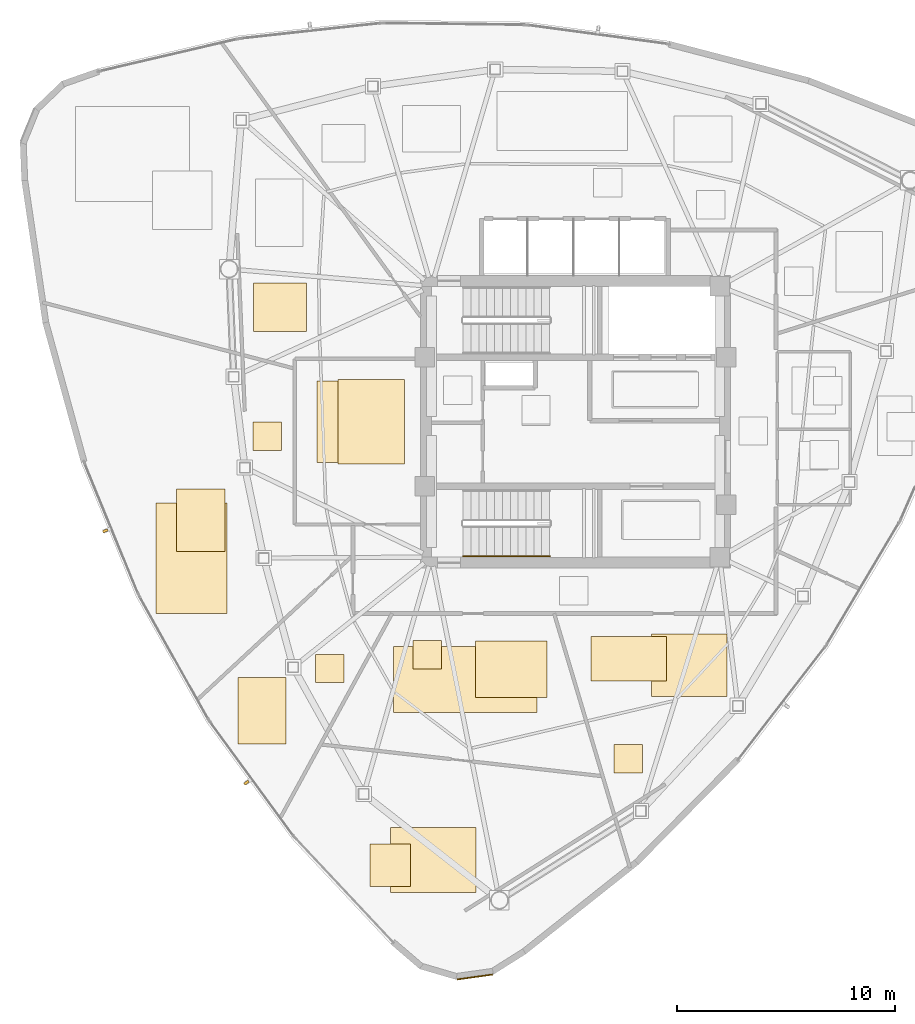
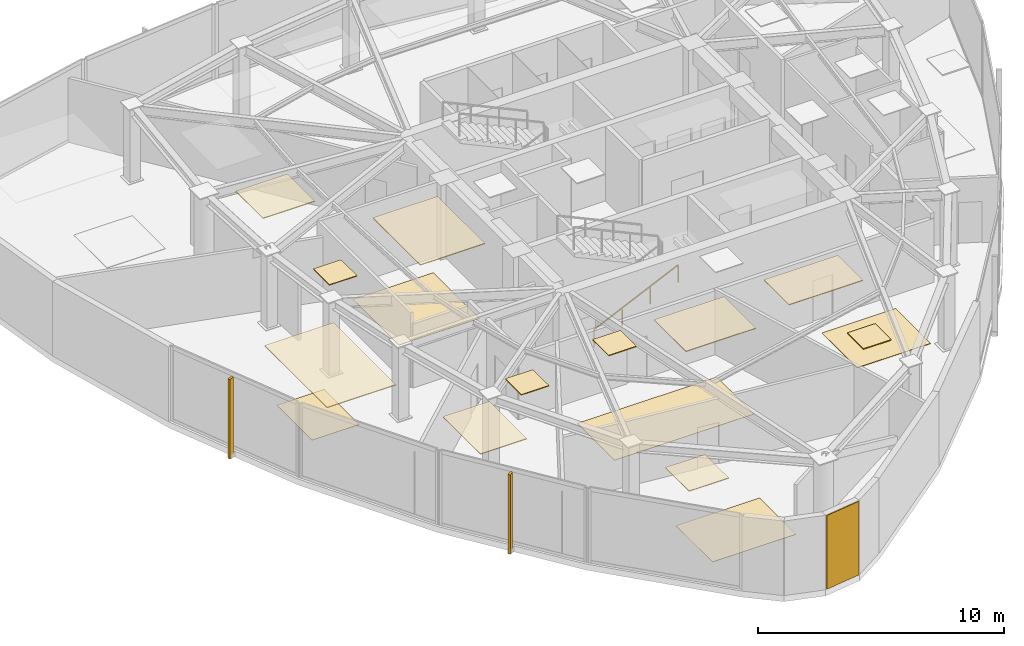
# One storey, part 10 of 12: 17 coverings, 2 shading devices, 1 railing.
"""IFC4 building model written with IfcOpenShell, lengths in metres."""

from ifc_helpers import new_model, si_unit, direction, frame, origin, origin_2d, place, context, subcontext, project, spatial, polyline, rectangle, outline, extrude, source, transform, mapped, material, layer, layer_set, type_object, type_shapes, element, save


model = new_model("IFC4")

# Units and contexts
model_context = context("Model", 3, precision=1e-05, world=origin(), true_north=direction((0.0, 1.0)))
body_context = subcontext(model_context, "Body", "Model", "MODEL_VIEW")
ifc_project = project(units=[si_unit("LENGTHUNIT", "METRE"), si_unit("AREAUNIT", "SQUARE_METRE"), si_unit("VOLUMEUNIT", "CUBIC_METRE"), si_unit("PLANEANGLEUNIT", "RADIAN"), si_unit("MASSUNIT", "GRAM", prefix="KILO")], contexts=[model_context])

# Site, building, storey
site_placement = place(None, origin())
site = spatial("IfcSite", under=ifc_project, at=site_placement, CompositionType="ELEMENT")
building_placement = place(site_placement, origin())
building = spatial("IfcBuilding", under=site, at=building_placement, Name="Tavelor Broadcast Tower", CompositionType="ELEMENT")
storey_placement = place(building_placement, frame((0.0, 0.0, 277.5)))
storey = spatial("IfcBuildingStorey", under=building, at=storey_placement, Name="L66", CompositionType="ELEMENT", Elevation=277.5)

# Covering
ifc_material_1 = material(Name="Copper-Bronze Anodized Aluminium", Category="aluminium")
ifc_layer_1 = layer(ifc_material_1, 0.050048828125)
ifc_layer_set_1 = layer_set([ifc_layer_1], Name="Copper-Bronze Anodized Aluminium")
covering_type_1 = type_object("IfcCoveringType", Name="Champagne-Bronze Corner Pier Metal Cladding 50 mm", PredefinedType="CLADDING", material=ifc_layer_set_1)
covering_1_placement = place(storey_placement, frame((45.384521484375, 19.572998046875, 0.02001953125), z_axis=(0.0, 0.0, 1.0), x_axis=(0.990389143102, 0.138308876163, 0.0)))
element("IfcCovering", 1, at=covering_1_placement, inside=storey, type_object=covering_type_1, Name="L66 Champagne-Bronze Corner Cladding 13", PredefinedType="CLADDING", context=body_context, shape_type="SweptSolid", body=[
    extrude(rectangle(XDim=1.63818359375, YDim=0.050048828125, at=origin_2d()), origin(), (0.0, 0.0, 1.0), 3.659912109375),
])

# Railing
ifc_material_2 = material(Name="Steel S355", Category="steel")
railing_type = type_object("IfcRailingType", Name="Continuous Brushed Stainless Handrail 900 mm", PredefinedType="HANDRAIL", material=ifc_material_2)
railing_placement = place(storey_placement, frame((44.85009765625, 38.85009765625, 0.166748046875)))
element("IfcRailing", 2, at=railing_placement, inside=storey, type_object=railing_type, Name="L66 ST2 stair handrail 1", PredefinedType="HANDRAIL", context=body_context, shape_type="SweptSolid", body=[
    extrude(rectangle(XDim=0.048095703125, YDim=0.048095703125, at=origin_2d()), frame((0.0, 0.0, 0.8759765625), z_axis=(0.907472437036, 0.0, 0.420111623286), x_axis=(0.0, 1.0, 0.0)), (0.0, 0.0, 1.0), 4.36376953125),
    extrude(rectangle(XDim=0.0419921875, YDim=0.0419921875, at=origin_2d()), origin(), (0.0, 0.0, 1.0), 0.851806640625),
    extrude(rectangle(XDim=0.0419921875, YDim=0.0419921875, at=origin_2d()), frame((1.320068359375, 0.0, 0.611083984375)), (0.0, 0.0, 1.0), 0.851806640625),
    extrude(rectangle(XDim=0.0419921875, YDim=0.0419921875, at=origin_2d()), frame((2.639892578125, 0.0, 1.22216796875)), (0.0, 0.0, 1.0), 0.851806640625),
    extrude(rectangle(XDim=0.0419921875, YDim=0.0419921875, at=origin_2d()), frame((3.9599609375, 0.0, 1.833251953125)), (0.0, 0.0, 1.0), 0.851806640625),
])

# Coverings
ifc_material_3 = material(Name="Acoustic Nylon Carpet Tile")
ifc_layer_2 = layer(ifc_material_3, 0.02001953125)
ifc_layer_set_2 = layer_set([ifc_layer_2], Name="Acoustic Nylon Carpet Tile")
covering_type_2 = type_object("IfcCoveringType", Name="Heavy-Duty Acoustic Broadcast Carpet Tile 20 mm", PredefinedType="FLOORING", material=ifc_layer_set_2)
covering_2_placement = place(storey_placement, origin())
element("IfcCovering", 3, at=covering_2_placement, inside=storey, type_object=covering_type_2, Name="L66 Broadcast Floor Finish 0985", PredefinedType="FLOORING", context=body_context, shape_type="SweptSolid", body=[
    extrude(outline(polyline([(38.15771484375, 43.12890625), (41.942138671875, 43.12890625), (41.942138671875, 46.87060546875), (38.15771484375, 46.87060546875), (38.15771484375, 43.12890625)])), origin(), (0.0, 0.0, 1.0), 0.02001953125),
])
covering_3_placement = place(storey_placement, origin())
element("IfcCovering", 4, at=covering_3_placement, inside=storey, type_object=covering_type_2, Name="L66 Broadcast Floor Finish 0989", PredefinedType="FLOORING", context=body_context, shape_type="SweptSolid", body=[
    extrude(outline(polyline([(53.481689453125, 32.42138671875), (56.940673828125, 32.42138671875), (56.940673828125, 35.277587890625), (53.481689453125, 35.277587890625), (53.481689453125, 32.42138671875)])), origin(), (0.0, 0.0, 1.0), 0.02001953125),
])
covering_4_placement = place(storey_placement, origin())
element("IfcCovering", 5, at=covering_4_placement, inside=storey, type_object=covering_type_2, Name="L66 Broadcast Floor Finish 0990", PredefinedType="FLOORING", context=body_context, shape_type="SweptSolid", body=[
    extrude(outline(polyline([(41.515869140625, 23.439697265625), (45.443603515625, 23.439697265625), (45.443603515625, 26.41455078125), (41.515869140625, 26.41455078125), (41.515869140625, 23.439697265625)])), origin(), (0.0, 0.0, 1.0), 0.02001953125),
])
covering_5_placement = place(storey_placement, origin())
element("IfcCovering", 6, at=covering_5_placement, inside=storey, type_object=covering_type_2, Name="L66 Broadcast Floor Finish 0991", PredefinedType="FLOORING", context=body_context, shape_type="SweptSolid", body=[
    extrude(outline(polyline([(31.7294921875, 39.0546875), (33.948974609375, 39.0546875), (33.948974609375, 41.927001953125), (31.7294921875, 41.927001953125), (31.7294921875, 39.0546875)])), origin(), (0.0, 0.0, 1.0), 0.02001953125),
])
covering_6_placement = place(storey_placement, origin())
element("IfcCovering", 7, at=covering_6_placement, inside=storey, type_object=covering_type_2, Name="L66 Broadcast Floor Finish 0994", PredefinedType="FLOORING", context=body_context, shape_type="SweptSolid", body=[
    extrude(outline(polyline([(41.66845703125, 31.67578125), (48.224365234375, 31.67578125), (48.224365234375, 34.70361328125), (41.66845703125, 34.70361328125), (41.66845703125, 31.67578125)])), origin(), (0.0, 0.0, 1.0), 0.02001953125),
])
ifc_material_4 = material(Name="Acoustic Mineral Fibre Tile")
ifc_layer_3 = layer(ifc_material_4, 0.0400390625)
ifc_layer_set_3 = layer_set([ifc_layer_3], Name="Acoustic Mineral Fibre Tile")
covering_type_3 = type_object("IfcCoveringType", Name="Suspended Acoustic Mineral-Fibre Office Ceiling 40 mm", PredefinedType="CEILING", material=ifc_layer_set_3)
covering_7_placement = place(storey_placement, frame((0.0, 0.0, 3.659912109375)))
element("IfcCovering", 8, at=covering_7_placement, inside=storey, type_object=covering_type_3, Name="L66 Suspended Acoustic Ceiling 2544", PredefinedType="CEILING", context=body_context, shape_type="SweptSolid", body=[
    extrude(outline(polyline([(39.130615234375, 43.0712890625), (42.16748046875, 43.0712890625), (42.16748046875, 46.927978515625), (39.130615234375, 46.927978515625), (39.130615234375, 43.0712890625)])), origin(), (0.0, 0.0, 1.0), 0.0400390625),
])
covering_8_placement = place(storey_placement, frame((0.0, 0.0, 3.659912109375)))
element("IfcCovering", 9, at=covering_8_placement, inside=storey, type_object=covering_type_3, Name="L66 Suspended Acoustic Ceiling 2548", PredefinedType="CEILING", context=body_context, shape_type="SweptSolid", body=[
    extrude(outline(polyline([(51.75830078125, 28.91162109375), (53.058349609375, 28.91162109375), (53.058349609375, 30.211669921875), (51.75830078125, 30.211669921875), (51.75830078125, 28.91162109375)])), origin(), (0.0, 0.0, 1.0), 0.0400390625),
])
covering_9_placement = place(storey_placement, frame((0.0, 0.0, 3.659912109375)))
element("IfcCovering", 10, at=covering_9_placement, inside=storey, type_object=covering_type_3, Name="L66 Suspended Acoustic Ceiling 2549", PredefinedType="CEILING", context=body_context, shape_type="SweptSolid", body=[
    extrude(outline(polyline([(50.701904296875, 33.12890625), (54.17041015625, 33.12890625), (54.17041015625, 35.1708984375), (50.701904296875, 35.1708984375), (50.701904296875, 33.12890625)])), origin(), (0.0, 0.0, 1.0), 0.0400390625),
])
covering_10_placement = place(storey_placement, frame((0.0, 0.0, 3.659912109375)))
element("IfcCovering", 11, at=covering_10_placement, inside=storey, type_object=covering_type_3, Name="L66 Suspended Acoustic Ceiling 2550", PredefinedType="CEILING", context=body_context, shape_type="SweptSolid", body=[
    extrude(outline(polyline([(40.57568359375, 23.721923828125), (42.444091796875, 23.721923828125), (42.444091796875, 25.6533203125), (40.57568359375, 25.6533203125), (40.57568359375, 23.721923828125)])), origin(), (0.0, 0.0, 1.0), 0.0400390625),
])
covering_11_placement = place(storey_placement, frame((0.0, 0.0, 3.659912109375)))
element("IfcCovering", 12, at=covering_11_placement, inside=storey, type_object=covering_type_3, Name="L66 Suspended Acoustic Ceiling 2551", PredefinedType="CEILING", context=body_context, shape_type="SweptSolid", body=[
    extrude(outline(polyline([(38.084228515625, 33.04833984375), (39.38427734375, 33.04833984375), (39.38427734375, 34.348388671875), (38.084228515625, 34.348388671875), (38.084228515625, 33.04833984375)])), origin(), (0.0, 0.0, 1.0), 0.0400390625),
])
covering_12_placement = place(storey_placement, frame((0.0, 0.0, 3.659912109375)))
element("IfcCovering", 13, at=covering_12_placement, inside=storey, type_object=covering_type_3, Name="L66 Suspended Acoustic Ceiling 2552", PredefinedType="CEILING", context=body_context, shape_type="SweptSolid", body=[
    extrude(outline(polyline([(34.54541015625, 30.2412109375), (36.727294921875, 30.2412109375), (36.727294921875, 33.296630859375), (34.54541015625, 33.296630859375), (34.54541015625, 30.2412109375)])), origin(), (0.0, 0.0, 1.0), 0.0400390625),
])
covering_13_placement = place(storey_placement, frame((0.0, 0.0, 3.659912109375)))
element("IfcCovering", 14, at=covering_13_placement, inside=storey, type_object=covering_type_3, Name="L66 Suspended Acoustic Ceiling 2553", PredefinedType="CEILING", context=body_context, shape_type="SweptSolid", body=[
    extrude(outline(polyline([(30.7919921875, 36.210693359375), (34.02978515625, 36.210693359375), (34.02978515625, 41.2900390625), (30.7919921875, 41.2900390625), (30.7919921875, 36.210693359375)])), origin(), (0.0, 0.0, 1.0), 0.0400390625),
])
covering_14_placement = place(storey_placement, frame((0.0, 0.0, 3.659912109375)))
element("IfcCovering", 15, at=covering_14_placement, inside=storey, type_object=covering_type_3, Name="L66 Suspended Acoustic Ceiling 2554", PredefinedType="CEILING", context=body_context, shape_type="SweptSolid", body=[
    extrude(outline(polyline([(35.2236328125, 43.694580078125), (36.523681640625, 43.694580078125), (36.523681640625, 44.99462890625), (35.2236328125, 44.99462890625), (35.2236328125, 43.694580078125)])), origin(), (0.0, 0.0, 1.0), 0.0400390625),
])
covering_15_placement = place(storey_placement, frame((0.0, 0.0, 3.659912109375)))
element("IfcCovering", 16, at=covering_15_placement, inside=storey, type_object=covering_type_3, Name="L66 Suspended Acoustic Ceiling 2556", PredefinedType="CEILING", context=body_context, shape_type="SweptSolid", body=[
    extrude(outline(polyline([(35.247314453125, 49.128173828125), (37.681884765625, 49.128173828125), (37.681884765625, 51.351318359375), (35.247314453125, 51.351318359375), (35.247314453125, 49.128173828125)])), origin(), (0.0, 0.0, 1.0), 0.0400390625),
])
covering_16_placement = place(storey_placement, frame((0.0, 0.0, 3.659912109375)))
element("IfcCovering", 17, at=covering_16_placement, inside=storey, type_object=covering_type_3, Name="L66 Suspended Acoustic Ceiling 2566", PredefinedType="CEILING", context=body_context, shape_type="SweptSolid", body=[
    extrude(outline(polyline([(42.555419921875, 33.6826171875), (43.855224609375, 33.6826171875), (43.855224609375, 34.982666015625), (42.555419921875, 34.982666015625), (42.555419921875, 33.6826171875)])), origin(), (0.0, 0.0, 1.0), 0.0400390625),
])
covering_17_placement = place(storey_placement, frame((0.0, 0.0, 3.659912109375)))
element("IfcCovering", 18, at=covering_17_placement, inside=storey, type_object=covering_type_3, Name="L66 Suspended Acoustic Ceiling 2567", PredefinedType="CEILING", context=body_context, shape_type="SweptSolid", body=[
    extrude(outline(polyline([(45.414794921875, 32.362548828125), (48.7021484375, 32.362548828125), (48.7021484375, 34.95458984375), (45.414794921875, 34.95458984375), (45.414794921875, 32.362548828125)])), origin(), (0.0, 0.0, 1.0), 0.0400390625),
])

# Shading devices
ifc_material_5 = material(Name="Kiln-Fired Glazed Terracotta", Category="masonry")
shading_device_type = type_object("IfcShadingDeviceType", Name="Extruded Terracotta Baguette Sun-Screen 110x240", PredefinedType="JALOUSIE", material=ifc_material_5)
shared_shape = source(origin(), body_context, "Body", "SweptSolid", [
    extrude(rectangle(XDim=0.110107421875, YDim=0.239990234375, at=origin_2d()), origin(), (0.0, 0.0, 1.0), 3.93994140625),
])
type_shapes(shading_device_type, [shared_shape])
for number, where, z_axis, x_axis, name in (
    (19, (28.460693359375, 40.006103515625, -0.260009765625), (0.0, 0.0, 1.0), (0.379779095522, -0.925077206834, 0.0), "L66 Terracotta Baguette Fin 667"),
    (20, (34.926513671875, 28.472900390625, -0.260009765625), (0.0, 0.0, 1.0), (0.591028110073, -0.806650961137, 0.0), "L66 Terracotta Baguette Fin 668"),
):
    element("IfcShadingDevice", number, at=place(storey_placement, frame(where, z_axis=z_axis, x_axis=x_axis)), inside=storey, type_object=shading_device_type, Name=name, PredefinedType="JALOUSIE", context=body_context, shape_type="MappedRepresentation", body=[
        mapped(shared_shape, transform((0.0, 0.0, 0.0), scale=1.0)),
    ])

save(model, "model.ifc")
